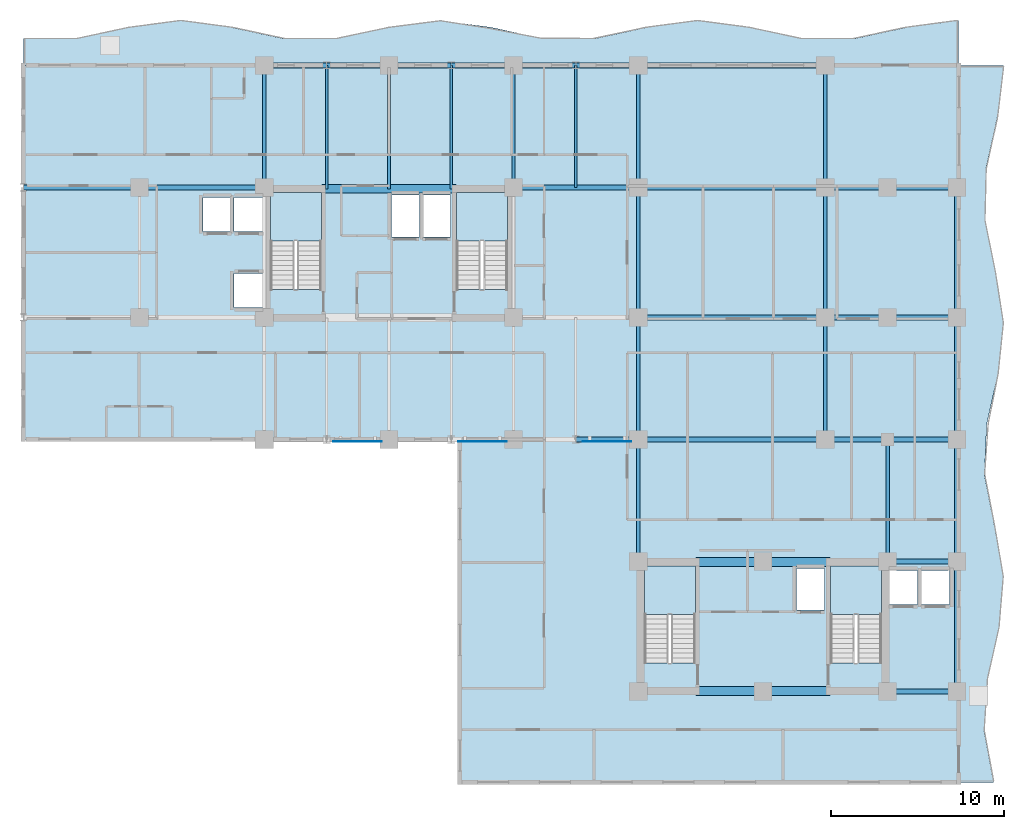
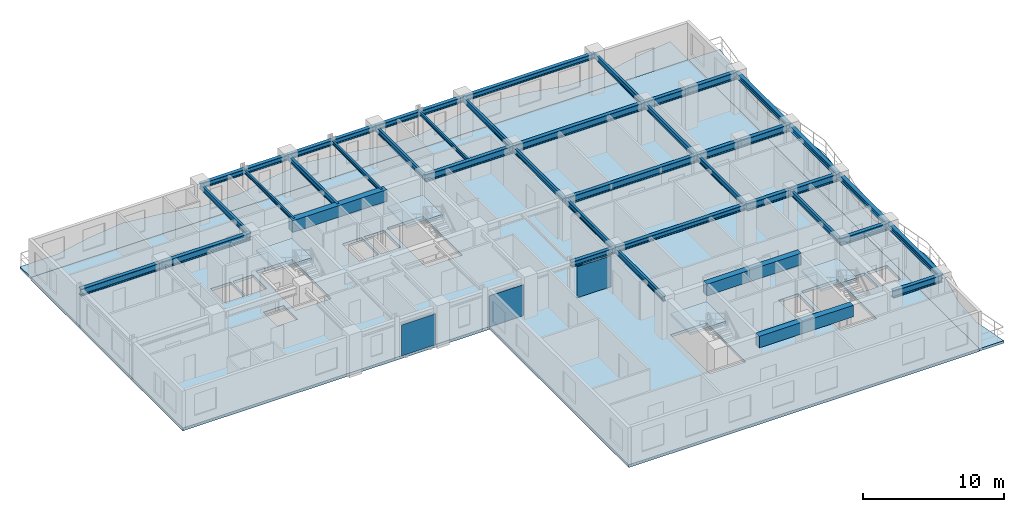
# One storey, part 3 of 13: 43 beams, 7 slabs, 3 plates, 4 elements without a shape of their own.
"""IFC4 building model written with IfcOpenShell, lengths in metres."""

import ifcopenshell
import ifcopenshell.guid

model = None  # the IFC model being written
_history = None  # IfcOwnerHistory: only IFC2X3 demands one
_inside = {}  # id of a spatial element -> (the spatial element, [elements in it])
_under = {}  # id of a project, library or spatial element -> (it, [spatial elements below it])
_declared = {}  # id of a project -> (the project, [libraries it declares])
_typed = {}  # id of a type object -> (the type object, [elements of that type])
_made_of = {}  # id of a material, layer set ... -> (it, [elements and type objects made of it])


def new_model(schema):
    """Start an empty IFC model of exactly this schema.

    Asked for "IFC4X3", IfcOpenShell would pick the latest addendum, in which some entities
    have other attributes; the version numbers below select the first issue.
    IFC2X3 requires an IfcOwnerHistory on every rooted entity: one is made here for all.
    """
    global model, _history
    if schema == "IFC4X3":
        model = ifcopenshell.file(schema_version=(4, 3, 0, 0))
    else:
        model = ifcopenshell.file(schema=schema)
    _inside.clear()
    _under.clear()
    _declared.clear()
    _typed.clear()
    _made_of.clear()
    _history = None
    if model.schema == "IFC2X3":
        org = make("IfcOrganization", Name="unknown")
        user = make(
            "IfcPersonAndOrganization",
            ThePerson=make("IfcPerson", FamilyName="unknown"),
            TheOrganization=org,
        )
        app = make(
            "IfcApplication",
            ApplicationDeveloper=org,
            Version="unknown",
            ApplicationFullName="unknown",
            ApplicationIdentifier="unknown",
        )
        _history = make(
            "IfcOwnerHistory",
            OwningUser=user,
            OwningApplication=app,
            ChangeAction="ADDED",
            CreationDate=0,
        )
    return model


def make(cls, **values):
    """One entity of the class cls with the attributes given. An attribute that is None is left unset."""
    return model.create_entity(
        cls, **{name: value for name, value in values.items() if value is not None}
    )


def rooted(cls, **values):
    """An entity with a GlobalId (a new one), such as an element, a storey or a relation."""
    return make(cls, GlobalId=ifcopenshell.guid.new(), OwnerHistory=_history, **values)


def si_unit(unit_type, name, prefix=None):
    """IfcSIUnit, for example si_unit("LENGTHUNIT", "METRE", prefix="MILLI")."""
    return make("IfcSIUnit", UnitType=unit_type, Prefix=prefix, Name=name)


def assignment(units):
    """IfcUnitAssignment: the units of a project."""
    return None if units is None else make("IfcUnitAssignment", Units=units)


def point(xyz):
    """IfcCartesianPoint."""
    return None if xyz is None else make("IfcCartesianPoint", Coordinates=xyz)


def direction(xyz):
    """IfcDirection."""
    return None if xyz is None else make("IfcDirection", DirectionRatios=xyz)


def frame(location, z_axis=None, x_axis=None):
    """IfcAxis2Placement3D, a coordinate frame: its origin and axes. An axis left out is left unset."""
    return make(
        "IfcAxis2Placement3D",
        Location=point(location),
        Axis=direction(z_axis),
        RefDirection=direction(x_axis),
    )


def frame_2d(location, x_axis=None):
    """IfcAxis2Placement2D, a coordinate frame in the plane: its origin and x axis."""
    return make(
        "IfcAxis2Placement2D", Location=point(location), RefDirection=direction(x_axis)
    )


def origin():
    """The frame at (0, 0, 0) with its axes left unset."""
    return frame((0.0, 0.0, 0.0))


def origin_2d():
    """The frame at (0, 0) in the plane with its x axis left unset."""
    return frame_2d((0.0, 0.0))


def place(relative_to, where):
    """IfcLocalPlacement: puts the frame where relative to a parent placement (None: the world)."""
    return make(
        "IfcLocalPlacement", PlacementRelTo=relative_to, RelativePlacement=where
    )


def context(
    kind, dimensions, precision=None, world=None, true_north=None, identifier=None
):
    """IfcGeometricRepresentationContext, for example the 3D "Model" context."""
    return make(
        "IfcGeometricRepresentationContext",
        ContextIdentifier=identifier,
        ContextType=kind,
        CoordinateSpaceDimension=dimensions,
        Precision=precision,
        WorldCoordinateSystem=world,
        TrueNorth=true_north,
    )


def subcontext(parent, identifier, kind, view, scale=None):
    """IfcGeometricRepresentationSubContext, for example "Body" below "Model"."""
    return make(
        "IfcGeometricRepresentationSubContext",
        ContextIdentifier=identifier,
        ContextType=kind,
        ParentContext=parent,
        TargetScale=scale,
        TargetView=view,
    )


def project(units=None, contexts=None):
    """IfcProject with its units and contexts."""
    return rooted(
        "IfcProject",
        Name="project",
        RepresentationContexts=contexts,
        UnitsInContext=assignment(units),
    )


def spatial(cls, under=None, at=None, **own):
    """A site, building, storey or space (cls), placed at a placement, below another one or the project."""
    s = rooted(cls, ObjectPlacement=at, **own)
    if under is not None:
        _under.setdefault(under.id(), (under, []))[1].append(s)
    return s


def polyline(points):
    """IfcPolyline through the points."""
    return make("IfcPolyline", Points=[point(p) for p in points])


def profile(cls, at=None, kind="AREA", **sizes):
    """A parametric profile (cls). Its sizes go by their IFC names, for example OverallWidth=200.0."""
    return make(cls, ProfileType=kind, Position=at, **sizes)


def rectangle(**sizes):
    """IfcRectangleProfileDef."""
    return profile("IfcRectangleProfileDef", **sizes)


def i_section(**sizes):
    """IfcIShapeProfileDef."""
    return profile("IfcIShapeProfileDef", **sizes)


def outline(outer, holes=None, kind="AREA"):
    """IfcArbitraryClosedProfileDef: a profile drawn as a closed curve; with holes, ...WithVoids."""
    if holes is None:
        return make("IfcArbitraryClosedProfileDef", ProfileType=kind, OuterCurve=outer)
    return make(
        "IfcArbitraryProfileDefWithVoids",
        ProfileType=kind,
        OuterCurve=outer,
        InnerCurves=holes,
    )


def extrude(swept, where, along, depth):
    """IfcExtrudedAreaSolid: the profile swept, set in the frame where, extruded along a direction by depth."""
    return make(
        "IfcExtrudedAreaSolid",
        SweptArea=swept,
        Position=where,
        ExtrudedDirection=direction(along),
        Depth=depth,
    )


def shape(context_of_items, identifier, shape_type, items):
    """IfcShapeRepresentation: the items that make up one representation, for example the "Body"."""
    return make(
        "IfcShapeRepresentation",
        ContextOfItems=context_of_items,
        RepresentationIdentifier=identifier,
        RepresentationType=shape_type,
        Items=items,
    )


def source(mapping_origin, context_of_items, identifier, shape_type, items):
    """IfcRepresentationMap: a shape defined once, which mapped items show again and again."""
    return make(
        "IfcRepresentationMap",
        MappingOrigin=mapping_origin,
        MappedRepresentation=shape(context_of_items, identifier, shape_type, items),
    )


def transform(
    local_origin,
    x_axis=None,
    y_axis=None,
    z_axis=None,
    scale=None,
    scale2=None,
    scale3=None,
    uniform=True,
):
    """IfcCartesianTransformationOperator3D, or its non-uniform kind. x_axis, y_axis, z_axis: its Axis1, 2, 3."""
    if uniform:
        return make(
            "IfcCartesianTransformationOperator3D",
            Axis1=direction(x_axis),
            Axis2=direction(y_axis),
            LocalOrigin=point(local_origin),
            Scale=scale,
            Axis3=direction(z_axis),
        )
    return make(
        "IfcCartesianTransformationOperator3DnonUniform",
        Axis1=direction(x_axis),
        Axis2=direction(y_axis),
        LocalOrigin=point(local_origin),
        Scale=scale,
        Axis3=direction(z_axis),
        Scale2=scale2,
        Scale3=scale3,
    )


def mapped(mapping_source, mapping_target):
    """IfcMappedItem: shows the shape of a source again, moved by a transform."""
    return make(
        "IfcMappedItem", MappingSource=mapping_source, MappingTarget=mapping_target
    )


def material(Name=None, Category=None):
    """IfcMaterial."""
    return make("IfcMaterial", Name=Name, Category=Category)


def layer(
    of_material, thickness, ventilated=None, Name=None, Category=None, Priority=None
):
    """IfcMaterialLayer: one layer of a wall or slab, of a material (None: an air gap)."""
    return make(
        "IfcMaterialLayer",
        Material=of_material,
        LayerThickness=thickness,
        IsVentilated=ventilated,
        Name=Name,
        Category=Category,
        Priority=Priority,
    )


def layer_set(layers, Name=None):
    """IfcMaterialLayerSet."""
    return make("IfcMaterialLayerSet", MaterialLayers=layers, LayerSetName=Name)


def material_profile(
    of_material, cross_section, Name=None, Category=None, Priority=None
):
    """IfcMaterialProfile: a cross section and its material."""
    return make(
        "IfcMaterialProfile",
        Name=Name,
        Material=of_material,
        Profile=cross_section,
        Priority=Priority,
        Category=Category,
    )


def profile_set(profiles, Name=None, composite=None):
    """IfcMaterialProfileSet."""
    return make(
        "IfcMaterialProfileSet",
        Name=Name,
        MaterialProfiles=profiles,
        CompositeProfile=composite,
    )


def made_of(thing, what):
    """Note that an element or type object is made of a material, layer set ...; save() writes the relation."""
    if what is not None:
        _made_of.setdefault(what.id(), (what, []))[1].append(thing)
    return thing


def type_object(cls, material=None, **own):
    """A type object (cls), such as IfcWallType, which elements share."""
    return made_of(rooted(cls, **own), material)


def element(
    cls,
    number,
    at=None,
    inside=None,
    cuts=None,
    type_object=None,
    material=None,
    context=None,
    identifier="Body",
    shape_type=None,
    held_by="IfcProductDefinitionShape",
    body=None,
    shapes=None,
    **own,
):
    """One element of the class cls, such as IfcWall. Its Tag is "e" and its number.

    at: its placement. inside: the storey or other place that contains it. cuts: it is an
    opening in that element (IfcRelVoidsElement). A single representation is given by context,
    identifier, shape_type and body (its items); several are given by shapes. held_by: the class
    of the entity that holds the representations. save() writes the other relations.
    """
    e = rooted(cls, Tag="e%d" % number, ObjectPlacement=at, **own)
    if body is not None:
        shapes = [shape(context, identifier, shape_type, body)]
    if shapes is not None:
        e.Representation = make(held_by, Representations=shapes)
    if inside is not None:
        _inside.setdefault(inside.id(), (inside, []))[1].append(e)
    if cuts is not None:
        rooted(
            "IfcRelVoidsElement", RelatingBuildingElement=cuts, RelatedOpeningElement=e
        )
    if type_object is not None:
        _typed.setdefault(type_object.id(), (type_object, []))[1].append(e)
    return made_of(e, material)


def aggregate(whole, parts):
    """IfcRelAggregates: a whole, such as a stair, and the parts it consists of."""
    return rooted("IfcRelAggregates", RelatingObject=whole, RelatedObjects=parts)


def save(model, path):
    """Write the relations noted so far, then the file.

    IfcRelAggregates (storeys below a building ...), IfcRelContainedInSpatialStructure (elements
    in a storey), IfcRelDefinesByType, IfcRelAssociatesMaterial and IfcRelDeclares: one each for
    every whole, place, type object, material and project.
    """
    for whole, parts in _under.values():
        aggregate(whole, parts)
    for where, things in _inside.values():
        rooted(
            "IfcRelContainedInSpatialStructure",
            RelatedElements=things,
            RelatingStructure=where,
        )
    for kind, things in _typed.values():
        rooted("IfcRelDefinesByType", RelatedObjects=things, RelatingType=kind)
    for what, things in _made_of.values():
        rooted("IfcRelAssociatesMaterial", RelatedObjects=things, RelatingMaterial=what)
    for by, libraries in _declared.values():
        rooted("IfcRelDeclares", RelatingContext=by, RelatedDefinitions=libraries)
    model.write(path)


model = new_model("IFC4")

# Units and contexts
model_context = context("Model", 3, precision=1e-05, world=origin(), true_north=direction((0.0, 1.0)))
body_context = subcontext(model_context, "Body", "Model", "MODEL_VIEW")
ifc_project = project(units=[si_unit("LENGTHUNIT", "METRE"), si_unit("AREAUNIT", "SQUARE_METRE"), si_unit("VOLUMEUNIT", "CUBIC_METRE"), si_unit("PLANEANGLEUNIT", "RADIAN"), si_unit("MASSUNIT", "GRAM", prefix="KILO")], contexts=[model_context])

# Site, building, storey
site_placement = place(None, origin())
site = spatial("IfcSite", under=ifc_project, at=site_placement, CompositionType="ELEMENT")
building_placement = place(site_placement, origin())
building = spatial("IfcBuilding", under=site, at=building_placement, Name="Kaliganga Portal Commons", CompositionType="ELEMENT")
storey_placement = place(building_placement, frame((0.0, 0.0, 188.300048828125)))
storey = spatial("IfcBuildingStorey", under=building, at=storey_placement, Name="L48", CompositionType="ELEMENT", Elevation=188.300048828125)

# Beams
ifc_material_1 = material(Name="Concrete C50/60", Category="concrete")
ifc_material_profile_1 = material_profile(ifc_material_1, rectangle(XDim=0.5, YDim=1.0, at=origin_2d()), Name="RC 500x1000")
ifc_profile_set_1 = profile_set([ifc_material_profile_1], Name="Concrete C50/60")
beam_type_1 = type_object("IfcBeamType", Name="BM-CPL-1000", PredefinedType="LINTEL", material=ifc_profile_set_1)
shared_shape_1 = source(origin(), body_context, "Body", "SweptSolid", [
    extrude(rectangle(XDim=0.5, YDim=1.0, at=origin_2d()), origin(), (0.0, 0.0, 1.0), 7.739990234375),
])
for number, where, z_axis, x_axis, name in (
    (1, (17.72998046875, 36.074951171875, 2.83984375), (1.0, 0.0, 0.0), (0.0, 1.0, 0.0), "BM CPL COREA L48 N"),
    (2, (39.330078125, 7.074951171875, 2.83984375), (1.0, 0.0, 0.0), (0.0, 1.0, 0.0), "BM CPL COREB L48 S"),
    (3, (39.330078125, 14.52490234375, 2.83984375), (1.0, 0.0, 0.0), (0.0, 1.0, 0.0), "BM CPL COREB L48 N"),
):
    element("IfcBeam", number, at=place(storey_placement, frame(where, z_axis=z_axis, x_axis=x_axis)), inside=storey, type_object=beam_type_1, Name=name, PredefinedType="LINTEL", context=body_context, shape_type="MappedRepresentation", body=[
        mapped(shared_shape_1, transform((0.0, 0.0, 0.0), x_axis=(1.0, 0.0, 0.0), y_axis=(0.0, 1.0, 0.0), z_axis=(0.0, 0.0, 1.0), scale=1.0)),
    ])
ifc_material_2 = material(Name="Structural steel S355J2", Category="steel")
ifc_material_profile_2 = material_profile(ifc_material_2, i_section(OverallWidth=0.300048828125, OverallDepth=0.449951171875, WebThickness=0.013916015625, FlangeThickness=0.02587890625, FilletRadius=0.027099609375, at=origin_2d()), Name="HE 450 B")
ifc_profile_set_2 = profile_set([ifc_material_profile_2], Name="Structural steel S355J2 wide-flange")
beam_type_2 = type_object("IfcBeamType", Name="BM-SPAND-450", PredefinedType="SPANDREL", material=ifc_profile_set_2)
shared_shape_2 = source(origin(), body_context, "Body", "SweptSolid", [
    extrude(i_section(OverallWidth=0.300048828125, OverallDepth=0.449951171875, WebThickness=0.013916015625, FlangeThickness=0.02587890625, FilletRadius=0.027099609375, at=origin_2d()), origin(), (0.0, 0.0, 1.0), 3.60009765625),
])
for number, where, z_axis, x_axis, name in (
    (4, (14.39990234375, 43.199951171875, 3.114990234375), (1.0, 0.0, 0.0), (0.0, 1.0, 0.0), "BM SP L48 AN 1"),
    (5, (18.0, 43.199951171875, 3.114990234375), (1.0, 0.0, 0.0), (0.0, 1.0, 0.0), "BM SP L48 AN 2"),
    (6, (25.199951171875, 43.199951171875, 3.114990234375), (1.0, 0.0, 0.0), (0.0, 1.0, 0.0), "BM SP L48 AN 4"),
    (7, (32.39990234375, 43.199951171875, 3.114990234375), (1.0, 0.0, 0.0), (0.0, 1.0, 0.0), "BM SP L48 AN 6"),
    (8, (32.39990234375, 21.60009765625, 3.114990234375), (1.0, 0.0, 0.0), (0.0, 1.0, 0.0), "BM SP L48 AS 6"),
):
    element("IfcBeam", number, at=place(storey_placement, frame(where, z_axis=z_axis, x_axis=x_axis)), inside=storey, type_object=beam_type_2, Name=name, PredefinedType="SPANDREL", context=body_context, shape_type="MappedRepresentation", body=[
        mapped(shared_shape_2, transform((0.0, 0.0, 0.0), x_axis=(1.0, 0.0, 0.0), y_axis=(0.0, 1.0, 0.0), z_axis=(0.0, 0.0, 1.0), scale=1.0)),
    ])
shared_shape_3 = source(origin(), body_context, "Body", "SweptSolid", [
    extrude(i_section(OverallWidth=0.300048828125, OverallDepth=0.449951171875, WebThickness=0.013916015625, FlangeThickness=0.02587890625, FilletRadius=0.027099609375, at=origin_2d()), origin(), (0.0, 0.0, 1.0), 3.599853515625),
])
for number, where, z_axis, x_axis, name in (
    (9, (21.60009765625, 43.199951171875, 3.114990234375), (1.0, 0.0, 0.0), (0.0, 1.0, 0.0), "BM SP L48 AN 3"),
    (10, (28.800048828125, 43.199951171875, 3.114990234375), (1.0, 0.0, 0.0), (0.0, 1.0, 0.0), "BM SP L48 AN 5"),
):
    element("IfcBeam", number, at=place(storey_placement, frame(where, z_axis=z_axis, x_axis=x_axis)), inside=storey, type_object=beam_type_2, Name=name, PredefinedType="SPANDREL", context=body_context, shape_type="MappedRepresentation", body=[
        mapped(shared_shape_3, transform((0.0, 0.0, 0.0), x_axis=(1.0, 0.0, 0.0), y_axis=(0.0, 1.0, 0.0), z_axis=(0.0, 0.0, 1.0), scale=1.0)),
    ])
shared_shape_4 = source(origin(), body_context, "Body", "SweptSolid", [
    extrude(i_section(OverallWidth=0.300048828125, OverallDepth=0.449951171875, WebThickness=0.013916015625, FlangeThickness=0.02587890625, FilletRadius=0.027099609375, at=origin_2d()), origin(), (0.0, 0.0, 1.0), 10.800048828125),
])
for number, where, z_axis, x_axis, name in (
    (11, (36.0, 43.199951171875, 3.114990234375), (1.0, 0.0, 0.0), (0.0, 1.0, 0.0), "BM SP L48 AN 7"),
    (12, (36.0, 21.60009765625, 3.114990234375), (1.0, 0.0, 0.0), (0.0, 1.0, 0.0), "BM SP L48 AS 7"),
):
    element("IfcBeam", number, at=place(storey_placement, frame(where, z_axis=z_axis, x_axis=x_axis)), inside=storey, type_object=beam_type_2, Name=name, PredefinedType="SPANDREL", context=body_context, shape_type="MappedRepresentation", body=[
        mapped(shared_shape_4, transform((0.0, 0.0, 0.0), x_axis=(1.0, 0.0, 0.0), y_axis=(0.0, 1.0, 0.0), z_axis=(0.0, 0.0, 1.0), scale=1.0)),
    ])
shared_shape_5 = source(origin(), body_context, "Body", "SweptSolid", [
    extrude(i_section(OverallWidth=0.300048828125, OverallDepth=0.449951171875, WebThickness=0.013916015625, FlangeThickness=0.02587890625, FilletRadius=0.027099609375, at=origin_2d()), origin(), (0.0, 0.0, 1.0), 7.5),
])
for number, where, z_axis, x_axis, name in (
    (13, (54.39990234375, 7.050048828125, 3.114990234375), (0.0, 1.0, 0.0), (-1.0, 0.0, 0.0), "BM SP L48 BE 1"),
    (14, (54.39990234375, 28.64990234375, 3.114990234375), (0.0, 1.0, 0.0), (-1.0, 0.0, 0.0), "BM SP L48 BE 4"),
):
    element("IfcBeam", number, at=place(storey_placement, frame(where, z_axis=z_axis, x_axis=x_axis)), inside=storey, type_object=beam_type_2, Name=name, PredefinedType="SPANDREL", context=body_context, shape_type="MappedRepresentation", body=[
        mapped(shared_shape_5, transform((0.0, 0.0, 0.0), x_axis=(1.0, 0.0, 0.0), y_axis=(0.0, 1.0, 0.0), z_axis=(0.0, 0.0, 1.0), scale=1.0)),
    ])
shared_shape_6 = source(origin(), body_context, "Body", "SweptSolid", [
    extrude(i_section(OverallWidth=0.300048828125, OverallDepth=0.449951171875, WebThickness=0.013916015625, FlangeThickness=0.02587890625, FilletRadius=0.027099609375, at=origin_2d()), origin(), (0.0, 0.0, 1.0), 7.050048828125),
])
beam_1_placement = place(storey_placement, frame((54.39990234375, 14.550048828125, 3.114990234375), z_axis=(0.0, 1.0, 0.0), x_axis=(-1.0, 0.0, 0.0)))
element("IfcBeam", 15, at=beam_1_placement, inside=storey, type_object=beam_type_2, Name="BM SP L48 BE 2", PredefinedType="SPANDREL", context=body_context, shape_type="MappedRepresentation", body=[
    mapped(shared_shape_6, transform((0.0, 0.0, 0.0), x_axis=(1.0, 0.0, 0.0), y_axis=(0.0, 1.0, 0.0), z_axis=(0.0, 0.0, 1.0), scale=1.0)),
])
shared_shape_7 = source(origin(), body_context, "Body", "SweptSolid", [
    extrude(i_section(OverallWidth=0.300048828125, OverallDepth=0.449951171875, WebThickness=0.013916015625, FlangeThickness=0.02587890625, FilletRadius=0.027099609375, at=origin_2d()), origin(), (0.0, 0.0, 1.0), 7.0498046875),
])
beam_2_placement = place(storey_placement, frame((54.39990234375, 21.60009765625, 3.114990234375), z_axis=(0.0, 1.0, 0.0), x_axis=(-1.0, 0.0, 0.0)))
element("IfcBeam", 16, at=beam_2_placement, inside=storey, type_object=beam_type_2, Name="BM SP L48 BE 3", PredefinedType="SPANDREL", context=body_context, shape_type="MappedRepresentation", body=[
    mapped(shared_shape_7, transform((0.0, 0.0, 0.0), x_axis=(1.0, 0.0, 0.0), y_axis=(0.0, 1.0, 0.0), z_axis=(0.0, 0.0, 1.0), scale=1.0)),
])
ifc_material_profile_3 = material_profile(ifc_material_2, i_section(OverallWidth=0.300048828125, OverallDepth=0.60009765625, WebThickness=0.015380859375, FlangeThickness=0.030029296875, FilletRadius=0.027099609375, at=origin_2d()), Name="HE 600 B")
ifc_profile_set_3 = profile_set([ifc_material_profile_3], Name="Structural steel S355J2 wide-flange")
beam_type_3 = type_object("IfcBeamType", Name="BM-GIRD-600", PredefinedType="USERDEFINED", material=ifc_profile_set_3)
shared_shape_8 = source(origin(), body_context, "Body", "SweptSolid", [
    extrude(i_section(OverallWidth=0.300048828125, OverallDepth=0.60009765625, WebThickness=0.015380859375, FlangeThickness=0.030029296875, FilletRadius=0.027099609375, at=origin_2d()), origin(), (0.0, 0.0, 1.0), 6.699951171875),
])
beam_3_placement = place(storey_placement, frame((0.5, 36.14990234375, 3.0400390625), z_axis=(1.0, 0.0, 0.0), x_axis=(0.0, 1.0, 0.0)))
element("IfcBeam", 17, at=beam_3_placement, inside=storey, type_object=beam_type_3, Name="BM G L48 WAH_N 1", ObjectType="GIRDER", PredefinedType="USERDEFINED", context=body_context, shape_type="MappedRepresentation", body=[
    mapped(shared_shape_8, transform((0.0, 0.0, 0.0), x_axis=(1.0, 0.0, 0.0), y_axis=(0.0, 1.0, 0.0), z_axis=(0.0, 0.0, 1.0), scale=1.0)),
])
shared_shape_9 = source(origin(), body_context, "Body", "SweptSolid", [
    extrude(i_section(OverallWidth=0.300048828125, OverallDepth=0.60009765625, WebThickness=0.015380859375, FlangeThickness=0.030029296875, FilletRadius=0.027099609375, at=origin_2d()), origin(), (0.0, 0.0, 1.0), 7.199951171875),
])
for number, where, z_axis, x_axis, name in (
    (18, (7.199951171875, 36.14990234375, 3.0400390625), (1.0, 0.0, 0.0), (0.0, 1.0, 0.0), "BM G L48 WAH_N 2"),
    (19, (28.800048828125, 36.14990234375, 3.0400390625), (1.0, 0.0, 0.0), (0.0, 1.0, 0.0), "BM G L48 WAE_N 1"),
):
    element("IfcBeam", number, at=place(storey_placement, frame(where, z_axis=z_axis, x_axis=x_axis)), inside=storey, type_object=beam_type_3, Name=name, ObjectType="GIRDER", PredefinedType="USERDEFINED", context=body_context, shape_type="MappedRepresentation", body=[
        mapped(shared_shape_9, transform((0.0, 0.0, 0.0), x_axis=(1.0, 0.0, 0.0), y_axis=(0.0, 1.0, 0.0), z_axis=(0.0, 0.0, 1.0), scale=1.0)),
    ])
shared_shape_10 = source(origin(), body_context, "Body", "SweptSolid", [
    extrude(i_section(OverallWidth=0.300048828125, OverallDepth=0.60009765625, WebThickness=0.015380859375, FlangeThickness=0.030029296875, FilletRadius=0.027099609375, at=origin_2d()), origin(), (0.0, 0.0, 1.0), 10.800048828125),
])
for number, where, z_axis, x_axis, name in (
    (20, (36.0, 28.64990234375, 3.0400390625), (1.0, 0.0, 0.0), (0.0, 1.0, 0.0), "BM G L48 WAE_S 2"),
    (21, (36.0, 36.14990234375, 3.0400390625), (1.0, 0.0, 0.0), (0.0, 1.0, 0.0), "BM G L48 WAE_N 2"),
):
    element("IfcBeam", number, at=place(storey_placement, frame(where, z_axis=z_axis, x_axis=x_axis)), inside=storey, type_object=beam_type_3, Name=name, ObjectType="GIRDER", PredefinedType="USERDEFINED", context=body_context, shape_type="MappedRepresentation", body=[
        mapped(shared_shape_10, transform((0.0, 0.0, 0.0), x_axis=(1.0, 0.0, 0.0), y_axis=(0.0, 1.0, 0.0), z_axis=(0.0, 0.0, 1.0), scale=1.0)),
    ])
shared_shape_11 = source(origin(), body_context, "Body", "SweptSolid", [
    extrude(i_section(OverallWidth=0.300048828125, OverallDepth=0.60009765625, WebThickness=0.015380859375, FlangeThickness=0.030029296875, FilletRadius=0.027099609375, at=origin_2d()), origin(), (0.0, 0.0, 1.0), 4.0),
])
for number, where, z_axis, x_axis, name in (
    (22, (50.39990234375, 7.050048828125, 3.0400390625), (1.0, 0.0, 0.0), (0.0, 1.0, 0.0), "BM G L48 BKE70 1"),
    (23, (50.39990234375, 14.550048828125, 3.0400390625), (1.0, 0.0, 0.0), (0.0, 1.0, 0.0), "BM G L48 BKE146 1"),
    (24, (50.39990234375, 21.60009765625, 3.0400390625), (1.0, 0.0, 0.0), (0.0, 1.0, 0.0), "BM G L48 BKE216 2"),
    (25, (50.39990234375, 28.64990234375, 3.0400390625), (1.0, 0.0, 0.0), (0.0, 1.0, 0.0), "BM G L48 BKE286 2"),
    (26, (50.39990234375, 36.14990234375, 3.0400390625), (1.0, 0.0, 0.0), (0.0, 1.0, 0.0), "BM G L48 BKE362 2"),
):
    element("IfcBeam", number, at=place(storey_placement, frame(where, z_axis=z_axis, x_axis=x_axis)), inside=storey, type_object=beam_type_3, Name=name, ObjectType="GIRDER", PredefinedType="USERDEFINED", context=body_context, shape_type="MappedRepresentation", body=[
        mapped(shared_shape_11, transform((0.0, 0.0, 0.0), x_axis=(1.0, 0.0, 0.0), y_axis=(0.0, 1.0, 0.0), z_axis=(0.0, 0.0, 1.0), scale=1.0)),
    ])
shared_shape_12 = source(origin(), body_context, "Body", "SweptSolid", [
    extrude(i_section(OverallWidth=0.300048828125, OverallDepth=0.60009765625, WebThickness=0.015380859375, FlangeThickness=0.030029296875, FilletRadius=0.027099609375, at=origin_2d()), origin(), (0.0, 0.0, 1.0), 3.599853515625),
])
for number, where, z_axis, x_axis, name in (
    (27, (46.800048828125, 21.60009765625, 3.0400390625), (1.0, 0.0, 0.0), (0.0, 1.0, 0.0), "BM G L48 BKE216 1"),
    (28, (46.800048828125, 28.64990234375, 3.0400390625), (1.0, 0.0, 0.0), (0.0, 1.0, 0.0), "BM G L48 BKE286 1"),
    (29, (46.800048828125, 36.14990234375, 3.0400390625), (1.0, 0.0, 0.0), (0.0, 1.0, 0.0), "BM G L48 BKE362 1"),
):
    element("IfcBeam", number, at=place(storey_placement, frame(where, z_axis=z_axis, x_axis=x_axis)), inside=storey, type_object=beam_type_3, Name=name, ObjectType="GIRDER", PredefinedType="USERDEFINED", context=body_context, shape_type="MappedRepresentation", body=[
        mapped(shared_shape_12, transform((0.0, 0.0, 0.0), x_axis=(1.0, 0.0, 0.0), y_axis=(0.0, 1.0, 0.0), z_axis=(0.0, 0.0, 1.0), scale=1.0)),
    ])
ifc_material_profile_4 = material_profile(ifc_material_2, i_section(OverallWidth=0.18994140625, OverallDepth=0.449951171875, WebThickness=0.009521484375, FlangeThickness=0.0146484375, FilletRadius=0.02099609375, at=origin_2d()), Name="IPE 450")
ifc_profile_set_4 = profile_set([ifc_material_profile_4], Name="Structural steel S355J2 wide-flange")
beam_type_4 = type_object("IfcBeamType", Name="BM-FLR-450", PredefinedType="BEAM", material=ifc_profile_set_4)
shared_shape_13 = source(origin(), body_context, "Body", "SweptSolid", [
    extrude(i_section(OverallWidth=0.18994140625, OverallDepth=0.449951171875, WebThickness=0.009521484375, FlangeThickness=0.0146484375, FilletRadius=0.02099609375, at=origin_2d()), origin(), (0.0, 0.0, 1.0), 7.5),
])
for number, where, z_axis, x_axis, name in (
    (30, (36.0, 28.64990234375, 3.114990234375), (0.0, 1.0, 0.0), (-1.0, 0.0, 0.0), "BM G L48 AM360"),
    (31, (46.800048828125, 28.64990234375, 3.114990234375), (0.0, 1.0, 0.0), (-1.0, 0.0, 0.0), "BM G L48 AM468"),
):
    element("IfcBeam", number, at=place(storey_placement, frame(where, z_axis=z_axis, x_axis=x_axis)), inside=storey, type_object=beam_type_4, Name=name, PredefinedType="BEAM", context=body_context, shape_type="MappedRepresentation", body=[
        mapped(shared_shape_13, transform((0.0, 0.0, 0.0), x_axis=(1.0, 0.0, 0.0), y_axis=(0.0, 1.0, 0.0), z_axis=(0.0, 0.0, 1.0), scale=1.0)),
    ])
shared_shape_14 = source(origin(), body_context, "Body", "SweptSolid", [
    extrude(i_section(OverallWidth=0.18994140625, OverallDepth=0.449951171875, WebThickness=0.009521484375, FlangeThickness=0.0146484375, FilletRadius=0.02099609375, at=origin_2d()), origin(), (0.0, 0.0, 1.0), 7.050048828125),
])
for number, where, z_axis, x_axis, name in (
    (32, (14.39990234375, 36.14990234375, 3.114990234375), (0.0, 1.0, 0.0), (-1.0, 0.0, 0.0), "BM G L48 AN144"),
    (33, (28.800048828125, 36.14990234375, 3.114990234375), (0.0, 1.0, 0.0), (-1.0, 0.0, 0.0), "BM G L48 AN288"),
    (34, (36.0, 36.14990234375, 3.114990234375), (0.0, 1.0, 0.0), (-1.0, 0.0, 0.0), "BM G L48 AN360"),
    (35, (46.800048828125, 36.14990234375, 3.114990234375), (0.0, 1.0, 0.0), (-1.0, 0.0, 0.0), "BM G L48 AN468"),
    (36, (36.0, 14.550048828125, 3.114990234375), (0.0, 1.0, 0.0), (-1.0, 0.0, 0.0), "BM G L48 BNK360"),
    (37, (50.39990234375, 14.550048828125, 3.114990234375), (0.0, 1.0, 0.0), (-1.0, 0.0, 0.0), "BM G L48 BNK504"),
):
    element("IfcBeam", number, at=place(storey_placement, frame(where, z_axis=z_axis, x_axis=x_axis)), inside=storey, type_object=beam_type_4, Name=name, PredefinedType="BEAM", context=body_context, shape_type="MappedRepresentation", body=[
        mapped(shared_shape_14, transform((0.0, 0.0, 0.0), x_axis=(1.0, 0.0, 0.0), y_axis=(0.0, 1.0, 0.0), z_axis=(0.0, 0.0, 1.0), scale=1.0)),
    ])
shared_shape_15 = source(origin(), body_context, "Body", "SweptSolid", [
    extrude(i_section(OverallWidth=0.18994140625, OverallDepth=0.449951171875, WebThickness=0.009521484375, FlangeThickness=0.0146484375, FilletRadius=0.02099609375, at=origin_2d()), origin(), (0.0, 0.0, 1.0), 7.0498046875),
])
for number, where, z_axis, x_axis, name in (
    (38, (36.0, 21.60009765625, 3.114990234375), (0.0, 1.0, 0.0), (-1.0, 0.0, 0.0), "BM G L48 AS360"),
    (39, (46.800048828125, 21.60009765625, 3.114990234375), (0.0, 1.0, 0.0), (-1.0, 0.0, 0.0), "BM G L48 AS468"),
):
    element("IfcBeam", number, at=place(storey_placement, frame(where, z_axis=z_axis, x_axis=x_axis)), inside=storey, type_object=beam_type_4, Name=name, PredefinedType="BEAM", context=body_context, shape_type="MappedRepresentation", body=[
        mapped(shared_shape_15, transform((0.0, 0.0, 0.0), x_axis=(1.0, 0.0, 0.0), y_axis=(0.0, 1.0, 0.0), z_axis=(0.0, 0.0, 1.0), scale=1.0)),
    ])
ifc_material_profile_5 = material_profile(ifc_material_2, i_section(OverallWidth=0.14990234375, OverallDepth=0.300048828125, WebThickness=0.007080078125, FlangeThickness=0.0107421875, FilletRadius=0.014892578125, at=origin_2d()), Name="IPE 300")
ifc_profile_set_5 = profile_set([ifc_material_profile_5], Name="Structural steel S355J2 wide-flange")
beam_type_5 = type_object("IfcBeamType", Name="BM-JST-300", PredefinedType="JOIST", material=ifc_profile_set_5)
shared_shape_16 = source(origin(), body_context, "Body", "SweptSolid", [
    extrude(i_section(OverallWidth=0.14990234375, OverallDepth=0.300048828125, WebThickness=0.007080078125, FlangeThickness=0.0107421875, FilletRadius=0.014892578125, at=origin_2d()), origin(), (0.0, 0.0, 1.0), 7.125),
])
for number, where, z_axis, x_axis, name in (
    (40, (18.0, 36.074951171875, 3.18994140625), (0.0, 1.0, 0.0), (-1.0, 0.0, 0.0), "BM G L48 AN180"),
    (41, (25.199951171875, 36.074951171875, 3.18994140625), (0.0, 1.0, 0.0), (-1.0, 0.0, 0.0), "BM G L48 AN252"),
):
    element("IfcBeam", number, at=place(storey_placement, frame(where, z_axis=z_axis, x_axis=x_axis)), inside=storey, type_object=beam_type_5, Name=name, PredefinedType="JOIST", context=body_context, shape_type="MappedRepresentation", body=[
        mapped(shared_shape_16, transform((0.0, 0.0, 0.0), x_axis=(1.0, 0.0, 0.0), y_axis=(0.0, 1.0, 0.0), z_axis=(0.0, 0.0, 1.0), scale=1.0)),
    ])
shared_shape_17 = source(origin(), body_context, "Body", "SweptSolid", [
    extrude(i_section(OverallWidth=0.18994140625, OverallDepth=0.449951171875, WebThickness=0.009521484375, FlangeThickness=0.0146484375, FilletRadius=0.02099609375, at=origin_2d()), origin(), (0.0, 0.0, 1.0), 7.125),
])
beam_4_placement = place(storey_placement, frame((21.60009765625, 36.074951171875, 3.114990234375), z_axis=(0.0, 1.0, 0.0), x_axis=(-1.0, 0.0, 0.0)))
element("IfcBeam", 42, at=beam_4_placement, inside=storey, type_object=beam_type_4, Name="BM G L48 AN216", PredefinedType="BEAM", context=body_context, shape_type="MappedRepresentation", body=[
    mapped(shared_shape_17, transform((0.0, 0.0, 0.0), x_axis=(1.0, 0.0, 0.0), y_axis=(0.0, 1.0, 0.0), z_axis=(0.0, 0.0, 1.0), scale=1.0)),
])
shared_shape_18 = source(origin(), body_context, "Body", "SweptSolid", [
    extrude(i_section(OverallWidth=0.14990234375, OverallDepth=0.300048828125, WebThickness=0.007080078125, FlangeThickness=0.0107421875, FilletRadius=0.014892578125, at=origin_2d()), origin(), (0.0, 0.0, 1.0), 7.050048828125),
])
beam_5_placement = place(storey_placement, frame((32.39990234375, 36.14990234375, 3.18994140625), z_axis=(0.0, 1.0, 0.0), x_axis=(-1.0, 0.0, 0.0)))
element("IfcBeam", 43, at=beam_5_placement, inside=storey, type_object=beam_type_5, Name="BM G L48 AN324", PredefinedType="JOIST", context=body_context, shape_type="MappedRepresentation", body=[
    mapped(shared_shape_18, transform((0.0, 0.0, 0.0), x_axis=(1.0, 0.0, 0.0), y_axis=(0.0, 1.0, 0.0), z_axis=(0.0, 0.0, 1.0), scale=1.0)),
])

# Slabs
ifc_material_3 = material(Name="Concrete C40/50", Category="concrete")
ifc_layer_1 = layer(ifc_material_3, 0.2099609375)
ifc_layer_set_1 = layer_set([ifc_layer_1], Name="Concrete C40/50")
slab_type_1 = type_object("IfcSlabType", Name="SLB-BALC-210", PredefinedType="FLOOR", material=ifc_layer_set_1)
slab_1_placement = place(storey_placement, frame((0.0, 0.0, -0.2099609375)))
element("IfcSlab", 44, at=slab_1_placement, inside=storey, type_object=slab_type_1, Name="Scalloped Tree-Planter Balcony Slab L48 balc_north", PredefinedType="FLOOR", context=body_context, shape_type="SweptSolid", body=[
    extrude(outline(polyline([(54.5, 43.199951171875), (54.5, 45.800048828125), (51.5, 45.400146484375), (48.5, 44.75341796875), (45.5, 44.75341796875), (42.5, 45.400146484375), (39.5, 45.800048828125), (36.5, 45.400146484375), (33.5, 44.75341796875), (30.5, 44.75341796875), (27.5, 45.400146484375), (24.5, 45.800048828125), (21.5, 45.400146484375), (18.5, 44.75341796875), (15.5, 44.75341796875), (12.5, 45.400146484375), (9.5, 45.800048828125), (6.5, 45.400146484375), (3.5, 44.75341796875), (0.5, 44.75341796875), (0.5, 43.199951171875), (54.5, 43.199951171875)])), origin(), (0.0, 0.0, 1.0), 0.2099609375),
])
slab_2_placement = place(storey_placement, frame((0.0, 0.0, -0.2099609375)))
element("IfcSlab", 45, at=slab_2_placement, inside=storey, type_object=slab_type_1, Name="Scalloped Tree-Planter Balcony Slab L48 balc_east", PredefinedType="FLOOR", context=body_context, shape_type="SweptSolid", body=[
    extrude(outline(polyline([(54.5, 1.800048828125), (56.521484375, 1.800048828125), (55.974609375, 4.757080078125), (56.164794921875, 7.71435546875), (56.835693359375, 10.67138671875), (57.0830078125, 13.628662109375), (56.5732421875, 16.585693359375), (55.99365234375, 19.54296875), (56.12548828125, 22.5), (56.791015625, 25.45703125), (57.09326171875, 28.414306640625), (56.624755859375, 31.371337890625), (56.01708984375, 34.32861328125), (56.089111328125, 37.28564453125), (56.744140625, 40.242919921875), (57.098876953125, 43.199951171875), (54.5, 43.199951171875), (54.5, 1.800048828125)])), origin(), (0.0, 0.0, 1.0), 0.2099609375),
])

# Stair, slab
stair_type = type_object("IfcStairType", Name="ST-CORE-DOGLEG", PredefinedType="HALF_TURN_STAIR", material=ifc_material_3)
stair_1_placement = place(storey_placement, origin())
stair_1 = element("IfcStair", 46, at=stair_1_placement, inside=storey, type_object=stair_type, Name="L48 Protected Exit Stair ST-A1", PredefinedType="HALF_TURN_STAIR")
ifc_layer_2 = layer(ifc_material_3, 0.199951171875)
ifc_layer_set_2 = layer_set([ifc_layer_2], Name="Concrete C40/50")
slab_type_2 = type_object("IfcSlabType", Name="SLB-STAIR-LND", PredefinedType="LANDING", material=ifc_layer_set_2)
slab_3_placement = place(storey_placement, frame((0.0, 0.0, 1.64990234375)))
slab_3 = element("IfcSlab", 47, at=slab_3_placement, type_object=slab_type_2, Name="ST-A1 landing 1", PredefinedType="LANDING", context=body_context, shape_type="SweptSolid", body=[
    extrude(outline(polyline([(17.699951171875, 33.050048828125), (17.699951171875, 35.85009765625), (14.75, 35.85009765625), (14.75, 33.050048828125), (17.699951171875, 33.050048828125)])), origin(), (0.0, 0.0, 1.0), 0.199951171875),
])
aggregate(stair_1, [slab_3])

stair_2_placement = place(storey_placement, origin())
stair_2 = element("IfcStair", 48, at=stair_2_placement, inside=storey, type_object=stair_type, Name="L48 Protected Exit Stair ST-A2", PredefinedType="HALF_TURN_STAIR")
slab_4_placement = place(storey_placement, frame((0.0, 0.0, 1.64990234375)))
slab_4 = element("IfcSlab", 49, at=slab_4_placement, type_object=slab_type_2, Name="ST-A2 landing 1", PredefinedType="LANDING", context=body_context, shape_type="SweptSolid", body=[
    extrude(outline(polyline([(28.449951171875, 33.050048828125), (28.449951171875, 35.85009765625), (25.5, 35.85009765625), (25.5, 33.050048828125), (28.449951171875, 33.050048828125)])), origin(), (0.0, 0.0, 1.0), 0.199951171875),
])
aggregate(stair_2, [slab_4])

stair_3_placement = place(storey_placement, origin())
stair_3 = element("IfcStair", 50, at=stair_3_placement, inside=storey, type_object=stair_type, Name="L48 Protected Exit Stair ST-B1", PredefinedType="HALF_TURN_STAIR")
slab_5_placement = place(storey_placement, frame((0.0, 0.0, 1.64990234375)))
slab_5 = element("IfcSlab", 51, at=slab_5_placement, type_object=slab_type_2, Name="ST-B1 landing 1", PredefinedType="LANDING", context=body_context, shape_type="SweptSolid", body=[
    extrude(outline(polyline([(39.300048828125, 11.5), (39.300048828125, 14.300048828125), (36.35009765625, 14.300048828125), (36.35009765625, 11.5), (39.300048828125, 11.5)])), origin(), (0.0, 0.0, 1.0), 0.199951171875),
])
aggregate(stair_3, [slab_5])

stair_4_placement = place(storey_placement, origin())
stair_4 = element("IfcStair", 52, at=stair_4_placement, inside=storey, type_object=stair_type, Name="L48 Protected Exit Stair ST-B2", PredefinedType="HALF_TURN_STAIR")
slab_6_placement = place(storey_placement, frame((0.0, 0.0, 1.64990234375)))
slab_6 = element("IfcSlab", 53, at=slab_6_placement, type_object=slab_type_2, Name="ST-B2 landing 1", PredefinedType="LANDING", context=body_context, shape_type="SweptSolid", body=[
    extrude(outline(polyline([(50.050048828125, 11.5), (50.050048828125, 14.300048828125), (47.10009765625, 14.300048828125), (47.10009765625, 11.5), (50.050048828125, 11.5)])), origin(), (0.0, 0.0, 1.0), 0.199951171875),
])
aggregate(stair_4, [slab_6])

# Slab
ifc_layer_3 = layer(ifc_material_3, 0.239990234375)
ifc_layer_set_3 = layer_set([ifc_layer_3], Name="Concrete C40/50")
slab_type_3 = type_object("IfcSlabType", Name="SLB-TWR-240", PredefinedType="FLOOR", material=ifc_layer_set_3)
slab_7_placement = place(storey_placement, frame((0.0, 0.0, -0.239990234375)))
element("IfcSlab", 54, at=slab_7_placement, inside=storey, type_object=slab_type_3, Name="Structural Floor Slab L48", PredefinedType="FLOOR", context=body_context, shape_type="SweptSolid", body=[
    extrude(outline(polyline([(25.699951171875, 1.800048828125), (54.5, 1.800048828125), (54.5, 43.199951171875), (0.5, 43.199951171875), (0.5, 21.60009765625), (25.699951171875, 21.60009765625), (25.699951171875, 1.800048828125)]), holes=[polyline([(14.75, 30.25390625), (14.75, 35.85009765625), (17.699951171875, 35.85009765625), (17.699951171875, 30.25390625), (14.75, 30.25390625)]), polyline([(25.5, 30.25390625), (25.5, 35.85009765625), (28.449951171875, 35.85009765625), (28.449951171875, 30.25390625), (25.5, 30.25390625)]), polyline([(36.35009765625, 8.7041015625), (36.35009765625, 14.300048828125), (39.300048828125, 14.300048828125), (39.300048828125, 8.7041015625), (36.35009765625, 8.7041015625)]), polyline([(47.10009765625, 8.7041015625), (47.10009765625, 14.300048828125), (50.050048828125, 14.300048828125), (50.050048828125, 8.7041015625), (47.10009765625, 8.7041015625)]), polyline([(12.6650390625, 33.614990234375), (12.6650390625, 35.5849609375), (14.3349609375, 35.5849609375), (14.3349609375, 33.614990234375), (12.6650390625, 33.614990234375)]), polyline([(12.6650390625, 29.215087890625), (12.6650390625, 31.18505859375), (14.3349609375, 31.18505859375), (14.3349609375, 29.215087890625), (12.6650390625, 29.215087890625)]), polyline([(10.864990234375, 33.614990234375), (10.864990234375, 35.5849609375), (12.534912109375, 35.5849609375), (12.534912109375, 33.614990234375), (10.864990234375, 33.614990234375)]), polyline([(21.739990234375, 33.2900390625), (21.739990234375, 35.7099609375), (23.360107421875, 35.7099609375), (23.360107421875, 33.2900390625), (21.739990234375, 33.2900390625)]), polyline([(23.5400390625, 33.2900390625), (23.5400390625, 35.7099609375), (25.159912109375, 35.7099609375), (25.159912109375, 33.2900390625), (23.5400390625, 33.2900390625)]), polyline([(50.465087890625, 12.06494140625), (50.465087890625, 14.034912109375), (52.135009765625, 14.034912109375), (52.135009765625, 12.06494140625), (50.465087890625, 12.06494140625)]), polyline([(52.31494140625, 12.06494140625), (52.31494140625, 14.034912109375), (53.985107421875, 14.034912109375), (53.985107421875, 12.06494140625), (52.31494140625, 12.06494140625)]), polyline([(45.139892578125, 11.739990234375), (45.139892578125, 14.159912109375), (46.760009765625, 14.159912109375), (46.760009765625, 11.739990234375), (45.139892578125, 11.739990234375)])]), origin(), (0.0, 0.0, 1.0), 0.239990234375),
])

# Plates
ifc_material_4 = material(Name="Perforated Bronze-Anodized Aluminium Solar Screen", Category="aluminium")
ifc_layer_4 = layer(ifc_material_4, 0.01806640625)
ifc_layer_set_4 = layer_set([ifc_layer_4], Name="Perforated Bronze-Anodized Aluminium Solar Screen")
plate_type = type_object("IfcPlateType", Name="PLT-SCR-18", PredefinedType="USERDEFINED", material=ifc_layer_set_4)
shared_shape_19 = source(origin(), body_context, "Body", "SweptSolid", [
    extrude(rectangle(XDim=2.800048828125, YDim=0.01806640625, at=origin_2d()), origin(), (0.0, 0.0, 1.0), 2.68994140625),
])
for number, where, z_axis, x_axis, name in (
    (55, (19.800048828125, 21.47998046875, 0.080078125), (0.0, 0.0, 1.0), (1.0, 0.0, 0.0), "Perforated Solar Screen L48-S1"),
    (56, (27.0, 21.47998046875, 0.080078125), (0.0, 0.0, 1.0), (1.0, 0.0, 0.0), "Perforated Solar Screen L48-S2"),
    (57, (34.199951171875, 21.47998046875, 0.080078125), (0.0, 0.0, 1.0), (1.0, 0.0, 0.0), "Perforated Solar Screen L48-S3"),
):
    element("IfcPlate", number, at=place(storey_placement, frame(where, z_axis=z_axis, x_axis=x_axis)), inside=storey, type_object=plate_type, Name=name, ObjectType="SOLAR SCREEN", PredefinedType="USERDEFINED", context=body_context, shape_type="MappedRepresentation", body=[
        mapped(shared_shape_19, transform((0.0, 0.0, 0.0), x_axis=(1.0, 0.0, 0.0), y_axis=(0.0, 1.0, 0.0), z_axis=(0.0, 0.0, 1.0), scale=1.0)),
    ])

save(model, "model.ifc")
